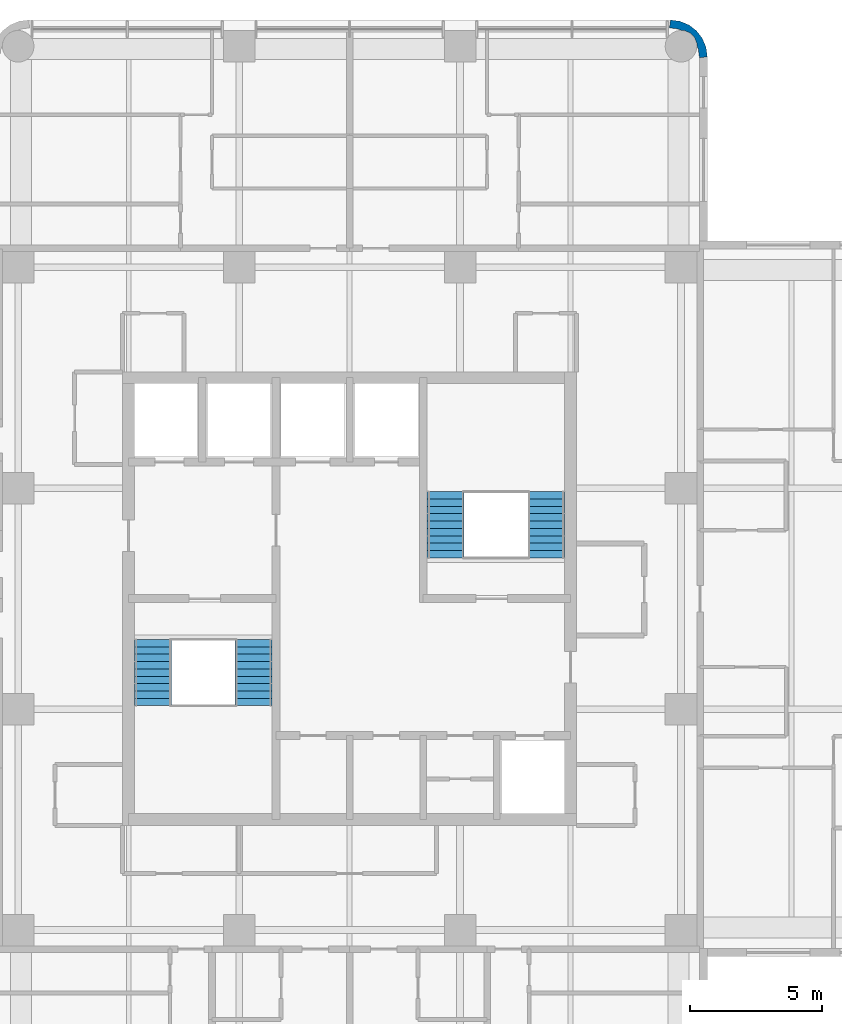
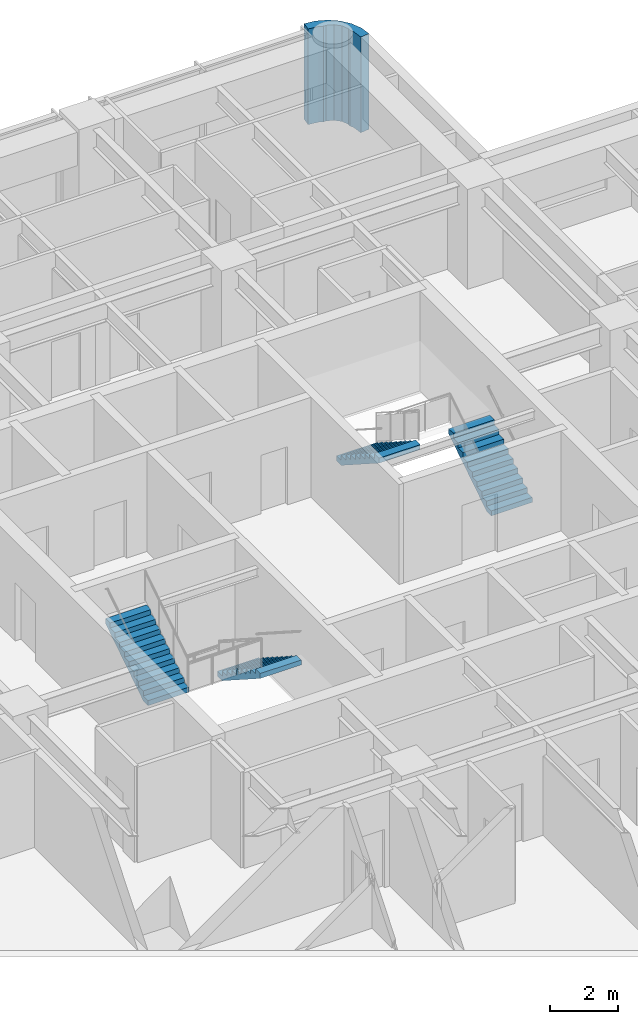
# One storey, part 9 of 10: 4 stair flights, 1 wall, 2 elements without a shape of their own.
"""IFC4 building model written with IfcOpenShell, lengths in metres."""

from ifc_helpers import new_model, si_unit, direction, frame, origin, place, context, subcontext, project, spatial, polyline, outline, extrude, material, layer, layer_set, type_object, element, aggregate, save


model = new_model("IFC4")

# Units and contexts
model_context = context("Model", 3, precision=1e-05, world=origin(), true_north=direction((0.0, 1.0)))
body_context = subcontext(model_context, "Body", "Model", "MODEL_VIEW")
ifc_project = project(units=[si_unit("LENGTHUNIT", "METRE"), si_unit("AREAUNIT", "SQUARE_METRE"), si_unit("VOLUMEUNIT", "CUBIC_METRE"), si_unit("PLANEANGLEUNIT", "RADIAN"), si_unit("MASSUNIT", "GRAM", prefix="KILO")], contexts=[model_context])

# Site, building, storey
site_placement = place(None, origin())
site = spatial("IfcSite", under=ifc_project, at=site_placement, CompositionType="ELEMENT")
building_placement = place(site_placement, origin())
building = spatial("IfcBuilding", under=site, at=building_placement, Name="Torre Alcanfor", CompositionType="ELEMENT")
storey_placement = place(building_placement, frame((0.0, 0.0, 286.5)))
storey = spatial("IfcBuildingStorey", under=building, at=storey_placement, Name="L75", CompositionType="ELEMENT", Elevation=286.5)

# Wall
ifc_material_1 = material(Name="Limestone cladding", Category="masonry")
ifc_layer_1 = layer(ifc_material_1, 0.0400390625, Name="Facing")
ifc_material_2 = material(Name="Ventilated air cavity")
ifc_layer_2 = layer(ifc_material_2, 0.02001953125, ventilated=True, Name="Ventilated joint")
ifc_material_3 = material(Name="Mineral wool insulation", Category="insulation")
ifc_layer_3 = layer(ifc_material_3, 0.10009765625, Name="Insulation")
ifc_material_4 = material(Name="Concrete f'c 35 MPa", Category="concrete")
ifc_layer_4 = layer(ifc_material_4, 0.139892578125, Name="Backing")
ifc_layer_set = layer_set([ifc_layer_1, ifc_layer_2, ifc_layer_3, ifc_layer_4], Name="Rounded corner pier stone-clad 300")
wall_type = type_object("IfcWallType", Name="Rounded corner pier stone-clad 300", PredefinedType="SOLIDWALL", material=ifc_layer_set)
wall_placement = place(storey_placement, frame((42.575898117, 50.038418254, 0.0), z_axis=(0.0, 0.0, 1.0), x_axis=(0.707106781187, 0.707106781187, 0.0)))
element("IfcWall", 1, at=wall_placement, inside=storey, type_object=wall_type, Name="Corner pier L75 19", PredefinedType="SOLIDWALL", context=body_context, shape_type="SweptSolid", body=[
    extrude(outline(polyline([(0.2330138064133928, 0.11420007896755979), (0.0465696355927211, -0.12886787706531594), (0.03258632278117072, -0.14285118987686632), (0.27271950945853585, -0.32705112530802993), (0.4952440800028376, -0.03719949307848569), (0.6350772081183413, 0.3004716162967309), (0.682724051772513, 0.663001948448037), (0.6350772081183413, 1.025187013616342), (0.4952440800028376, 1.3628581229915584), (0.27271950945853596, 1.6527097552211027), (0.032758956272671336, 1.4686824532814398), (0.046742269084221744, 1.4546991404698892), (0.23318643990489346, 1.2116311844370136), (0.2922270939981061, 1.0690359204575), (0.35782782076834246, 1.0034351936872634), (0.4493235712636722, 0.7824643245664674), (0.44949620475517277, 0.543366938838106), (0.3580004542598431, 0.3223960697173099), (0.29222709399810615, 0.2566227094555729), (0.2330138064133928, 0.11420007896755979)])), origin(), (0.0, 0.0, 1.0), 3.449951171875),
])

# Stair, stair flights
ifc_material_5 = material(Name="Concrete f'c 35 MPa", Category="concrete")
stair_type_1 = type_object("IfcStairType", Name="Exit stair S1 1400 wide", PredefinedType="HALF_TURN_STAIR", material=ifc_material_5)
stair_1_placement = place(storey_placement, origin())
stair_1 = element("IfcStair", 2, at=stair_1_placement, inside=storey, type_object=stair_type_1, Name="Stair S1 L75 to L76", PredefinedType="HALF_TURN_STAIR")
ifc_material_6 = material(Name="Concrete f'c 35 MPa", Category="concrete")
stair_flight_type = type_object("IfcStairFlightType", Name="Stair flight 1400", PredefinedType="STRAIGHT", material=ifc_material_6)
stair_flight_1_placement = place(storey_placement, frame((25.75, 27.85009765625, 0.0), z_axis=(0.0, 0.0, 1.0), x_axis=(0.0, -1.0, 0.0)))
stair_flight_1 = element("IfcStairFlight", 3, at=stair_flight_1_placement, type_object=stair_flight_type, Name="S1 flight 1", NumberOfRisers=10, NumberOfTreads=9, PredefinedType="STRAIGHT", RiserHeight=0.18, TreadLength=0.28, context=body_context, shape_type="SweptSolid", body=[
    extrude(outline(polyline([(0.0, 0.0), (0.0, 0.179931640625), (0.280029296875, 0.179931640625), (0.280029296875, 0.360107421875), (0.56005859375, 0.360107421875), (0.56005859375, 0.5400390625), (0.840087890625, 0.5400390625), (0.840087890625, 0.719970703125), (1.1201171875, 0.719970703125), (1.1201171875, 0.89990234375), (1.39990234375, 0.89990234375), (1.39990234375, 1.080078125), (1.679931640625, 1.080078125), (1.679931640625, 1.260009765625), (1.9599609375, 1.260009765625), (1.9599609375, 1.43994140625), (2.239990234375, 1.43994140625), (2.239990234375, 1.6201171875), (2.52001953125, 1.6201171875), (2.52001953125, 1.800048828125), (2.52001953125, 1.44189453125), (0.277099609375, 0.0), (0.0, 0.0)])), frame((0.0, 0.699951171875, 0.0), z_axis=(0.0, -1.0, 0.0), x_axis=(1.0, 0.0, 0.0)), (0.0, 0.0, 1.0), 1.39990234375),
])
stair_flight_2_placement = place(storey_placement, frame((21.925048828125, 25.330078125, 1.800048828125), z_axis=(0.0, 0.0, 1.0), x_axis=(0.0, 1.0, 0.0)))
stair_flight_2 = element("IfcStairFlight", 4, at=stair_flight_2_placement, type_object=stair_flight_type, Name="S1 flight 2", NumberOfRisers=10, NumberOfTreads=9, PredefinedType="STRAIGHT", RiserHeight=0.18, TreadLength=0.28, context=body_context, shape_type="SweptSolid", body=[
    extrude(outline(polyline([(0.0, 0.0), (0.0, 0.179931640625), (0.280029296875, 0.179931640625), (0.280029296875, 0.360107421875), (0.56005859375, 0.360107421875), (0.56005859375, 0.5400390625), (0.840087890625, 0.5400390625), (0.840087890625, 0.719970703125), (1.1201171875, 0.719970703125), (1.1201171875, 0.89990234375), (1.39990234375, 0.89990234375), (1.39990234375, 1.080078125), (1.679931640625, 1.080078125), (1.679931640625, 1.260009765625), (1.9599609375, 1.260009765625), (1.9599609375, 1.43994140625), (2.239990234375, 1.43994140625), (2.239990234375, 1.6201171875), (2.52001953125, 1.6201171875), (2.52001953125, 1.800048828125), (2.52001953125, 1.44189453125), (0.277099609375, 0.0), (0.0, 0.0)])), frame((0.0, 0.699951171875, 0.0), z_axis=(0.0, -1.0, 0.0), x_axis=(1.0, 0.0, 0.0)), (0.0, 0.0, 1.0), 1.39990234375),
])
aggregate(stair_1, [stair_flight_1, stair_flight_2])

ifc_material_7 = material(Name="Concrete f'c 35 MPa", Category="concrete")
stair_type_2 = type_object("IfcStairType", Name="Exit stair S2 1400 wide", PredefinedType="HALF_TURN_STAIR", material=ifc_material_7)
stair_2_placement = place(storey_placement, origin())
stair_2 = element("IfcStair", 5, at=stair_2_placement, inside=storey, type_object=stair_type_2, Name="Stair S2 L75 to L76", PredefinedType="HALF_TURN_STAIR")
stair_flight_3_placement = place(storey_placement, frame((36.875, 30.949951171875, 0.0), z_axis=(0.0, 0.0, 1.0), x_axis=(0.0, 1.0, 0.0)))
stair_flight_3 = element("IfcStairFlight", 6, at=stair_flight_3_placement, type_object=stair_flight_type, Name="S2 flight 1", NumberOfRisers=10, NumberOfTreads=9, PredefinedType="STRAIGHT", RiserHeight=0.18, TreadLength=0.28, context=body_context, shape_type="SweptSolid", body=[
    extrude(outline(polyline([(0.0, 0.0), (0.0, 0.179931640625), (0.280029296875, 0.179931640625), (0.280029296875, 0.360107421875), (0.56005859375, 0.360107421875), (0.56005859375, 0.5400390625), (0.840087890625, 0.5400390625), (0.840087890625, 0.719970703125), (1.1201171875, 0.719970703125), (1.1201171875, 0.89990234375), (1.39990234375, 0.89990234375), (1.39990234375, 1.080078125), (1.679931640625, 1.080078125), (1.679931640625, 1.260009765625), (1.9599609375, 1.260009765625), (1.9599609375, 1.43994140625), (2.239990234375, 1.43994140625), (2.239990234375, 1.6201171875), (2.52001953125, 1.6201171875), (2.52001953125, 1.800048828125), (2.52001953125, 1.44189453125), (0.277099609375, 0.0), (0.0, 0.0)])), frame((0.0, 0.699951171875, 0.0), z_axis=(0.0, -1.0, 0.0), x_axis=(1.0, 0.0, 0.0)), (0.0, 0.0, 1.0), 1.39990234375),
])
stair_flight_4_placement = place(storey_placement, frame((33.050048828125, 33.469970703125, 1.800048828125), z_axis=(0.0, 0.0, 1.0), x_axis=(0.0, -1.0, 0.0)))
stair_flight_4 = element("IfcStairFlight", 7, at=stair_flight_4_placement, type_object=stair_flight_type, Name="S2 flight 2", NumberOfRisers=10, NumberOfTreads=9, PredefinedType="STRAIGHT", RiserHeight=0.18, TreadLength=0.28, context=body_context, shape_type="SweptSolid", body=[
    extrude(outline(polyline([(0.0, 0.0), (0.0, 0.179931640625), (0.280029296875, 0.179931640625), (0.280029296875, 0.360107421875), (0.56005859375, 0.360107421875), (0.56005859375, 0.5400390625), (0.840087890625, 0.5400390625), (0.840087890625, 0.719970703125), (1.1201171875, 0.719970703125), (1.1201171875, 0.89990234375), (1.39990234375, 0.89990234375), (1.39990234375, 1.080078125), (1.679931640625, 1.080078125), (1.679931640625, 1.260009765625), (1.9599609375, 1.260009765625), (1.9599609375, 1.43994140625), (2.239990234375, 1.43994140625), (2.239990234375, 1.6201171875), (2.52001953125, 1.6201171875), (2.52001953125, 1.800048828125), (2.52001953125, 1.44189453125), (0.277099609375, 0.0), (0.0, 0.0)])), frame((0.0, 0.699951171875, 0.0), z_axis=(0.0, -1.0, 0.0), x_axis=(1.0, 0.0, 0.0)), (0.0, 0.0, 1.0), 1.39990234375),
])
aggregate(stair_2, [stair_flight_3, stair_flight_4])

save(model, "model.ifc")
